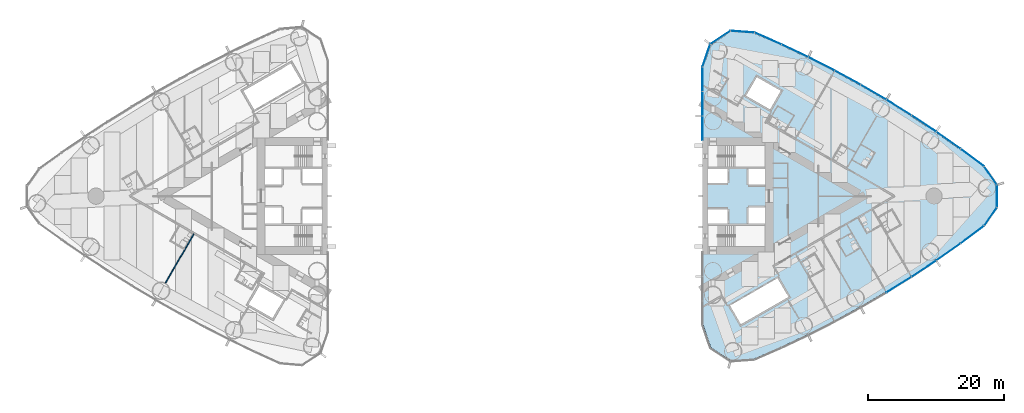
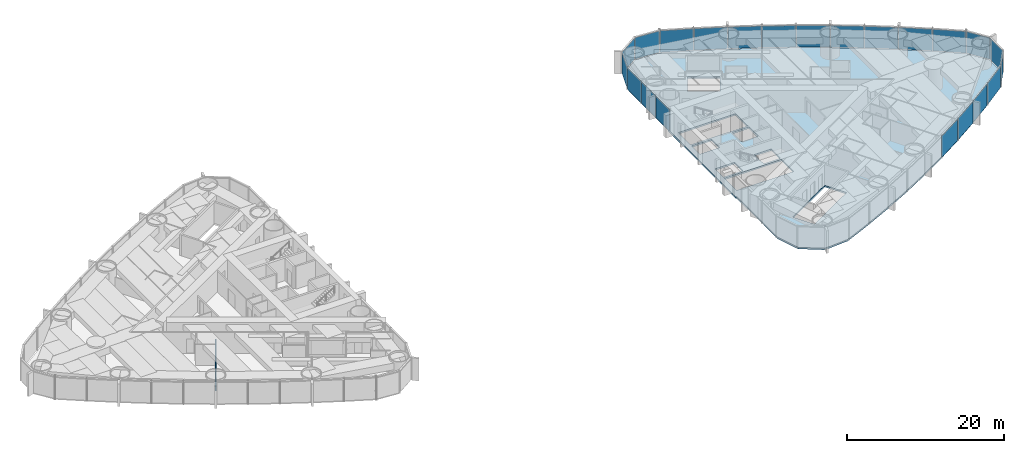
# One storey, part 10 of 18: 22 plates, 1 slab, 1 wall, 1 element without a shape of its own.
"""IFC4 building model written with IfcOpenShell, lengths in metres."""

from ifc_helpers import new_model, si_unit, direction, frame, frame_2d, origin, origin_2d, place, context, subcontext, project, spatial, polyline, rectangle, outline, extrude, material, layer, layer_set, type_object, element, aggregate, save


model = new_model("IFC4")

# Units and contexts
model_context = context("Model", 3, precision=1e-05, world=origin(), true_north=direction((0.0, 1.0)))
body_context = subcontext(model_context, "Body", "Model", "MODEL_VIEW")
ifc_project = project(units=[si_unit("LENGTHUNIT", "METRE"), si_unit("AREAUNIT", "SQUARE_METRE"), si_unit("VOLUMEUNIT", "CUBIC_METRE"), si_unit("PLANEANGLEUNIT", "RADIAN"), si_unit("MASSUNIT", "GRAM", prefix="KILO")], contexts=[model_context])

# Site, building, storey
site_placement = place(None, origin())
site = spatial("IfcSite", under=ifc_project, at=site_placement, CompositionType="ELEMENT")
building_placement = place(site_placement, origin())
building = spatial("IfcBuilding", under=site, at=building_placement, Name="Lancet Gate Hotel", CompositionType="ELEMENT")
storey_placement = place(building_placement, frame((0.0, 0.0, 97.60009765625)))
storey = spatial("IfcBuildingStorey", under=building, at=storey_placement, Name="L25", CompositionType="ELEMENT", Elevation=97.60009765625)

# Slab
ifc_material_1 = material(Name="Concrete C50/60", Category="concrete")
ifc_layer_1 = layer(ifc_material_1, 0.25)
ifc_layer_set_1 = layer_set([ifc_layer_1], Name="Floor slab 250")
slab_type = type_object("IfcSlabType", Name="Floor slab 250", PredefinedType="FLOOR", material=ifc_layer_set_1)
slab_placement = place(storey_placement, frame((0.0, 0.0, -0.25)))
element("IfcSlab", 1, at=slab_placement, inside=storey, type_object=slab_type, Name="T2 L25 floor slab", PredefinedType="FLOOR", context=body_context, shape_type="SweptSolid", body=[
    extrude(outline(polyline([(27.5, -8.60009765625), (27.6201171875, -8.60009765625), (27.6201171875, -18.923095703125), (28.7451171875, -22.22412109375), (31.63427734375, -24.1396484375), (35.112060546875, -23.890869140625), (39.0712890625, -22.150634765625), (42.996826171875, -20.29052734375), (46.867919921875, -18.31982421875), (50.681640625, -16.23974609375), (54.4345703125, -14.052490234375), (58.123779296875, -11.75927734375), (61.74658203125, -9.362548828125), (65.2998046875, -6.863525390625), (68.7666015625, -4.275390625), (70.627197265625, -1.6142578125), (70.627197265625, 1.6142578125), (68.7666015625, 4.275390625), (65.2998046875, 6.863525390625), (61.74658203125, 9.362548828125), (58.123779296875, 11.75927734375), (54.4345703125, 14.052490234375), (50.681640625, 16.23974609375), (46.867919921875, 18.31982421875), (42.996826171875, 20.29052734375), (39.0712890625, 22.150634765625), (35.112060546875, 23.890869140625), (31.63427734375, 24.1396484375), (28.7451171875, 22.22412109375), (27.6201171875, 18.923095703125), (27.6201171875, 8.60009765625), (27.5, 8.60009765625), (27.5, 8.199951171875), (27.5, -8.199951171875), (27.5, -8.60009765625)]), holes=[polyline([(36.699951171875, -7.39990234375), (36.699951171875, -4.300048828125), (28.300048828125, -4.300048828125), (28.300048828125, -7.39990234375), (36.699951171875, -7.39990234375)]), polyline([(28.300048828125, -4.0), (31.199951171875, -4.0), (31.199951171875, -1.89990234375), (28.300048828125, -1.89990234375), (28.300048828125, -4.0)]), polyline([(34.25, -4.0), (36.699951171875, -4.0), (36.699951171875, -1.64990234375), (34.25, -1.64990234375), (34.25, -4.0)]), polyline([(36.699951171875, 1.64990234375), (36.699951171875, 4.0), (34.25, 4.0), (34.25, 1.64990234375), (36.699951171875, 1.64990234375)]), polyline([(28.300048828125, 1.89990234375), (31.199951171875, 1.89990234375), (31.199951171875, 4.0), (28.300048828125, 4.0), (28.300048828125, 1.89990234375)]), polyline([(28.300048828125, 4.300048828125), (36.699951171875, 4.300048828125), (36.699951171875, 7.39990234375), (28.300048828125, 7.39990234375), (28.300048828125, 4.300048828125)]), polyline([(31.549072265625, -16.0810546875), (33.14892578125, -18.85205078125), (40.1640625, -14.802001953125), (38.56396484375, -12.031005859375), (31.549072265625, -16.0810546875)]), polyline([(33.887939453125, 14.73095703125), (37.43798828125, 12.680908203125), (39.0380859375, 15.451904296875), (35.488037109375, 17.501953125), (33.887939453125, 14.73095703125)])]), origin(), (0.0, 0.0, 1.0), 0.25),
])

# Curtain wall, plates
ifc_material_2 = material(Name="Aluminium curtain wall", Category="aluminium")
curtain_wall_type = type_object("IfcCurtainWallType", Name="Tower unitised curtain wall", PredefinedType="USERDEFINED", material=ifc_material_2)
curtain_wall_placement = place(storey_placement, origin())
curtain_wall = element("IfcCurtainWall", 2, at=curtain_wall_placement, inside=storey, type_object=curtain_wall_type, Name="T2 L25 curtain wall 1", ObjectType="UNITISED CURTAIN WALL", PredefinedType="USERDEFINED")
ifc_material_3 = material(Name="Glass double glazed unit 8-16-6", Category="glass")
ifc_layer_2 = layer(ifc_material_3, 0.030029296875)
ifc_layer_set_2 = layer_set([ifc_layer_2], Name="Vision panel double glazed")
plate_type = type_object("IfcPlateType", Name="Vision panel double glazed", PredefinedType="CURTAIN_PANEL", material=ifc_layer_set_2)
plate_1_placement = place(storey_placement, frame((56.342529296875, -13.0078125, -0.000244140625), z_axis=(0.0, 0.0, 1.0), x_axis=(0.849317759497, 0.527881940781, 0.0)))
plate_1 = element("IfcPlate", 3, at=plate_1_placement, type_object=plate_type, Name="T2 L25 curtain wall 1 panel 12", PredefinedType="CURTAIN_PANEL", context=body_context, shape_type="SweptSolid", body=[
    extrude(rectangle(XDim=4.2822265625, YDim=0.030029296875, at=origin_2d()), origin(), (0.0, 0.0, 1.0), 3.35009765625),
])
plate_2_placement = place(storey_placement, frame((60.00146484375, -10.660888671875, -0.000244140625), z_axis=(0.0, 0.0, 1.0), x_axis=(0.83398495346, 0.551787184885, 0.0)))
plate_2 = element("IfcPlate", 4, at=plate_2_placement, type_object=plate_type, Name="T2 L25 curtain wall 1 panel 13", PredefinedType="CURTAIN_PANEL", context=body_context, shape_type="SweptSolid", body=[
    extrude(rectangle(XDim=4.2822265625, YDim=0.030029296875, at=origin_2d()), origin(), (0.0, 0.0, 1.0), 3.35009765625),
])
plate_3_placement = place(storey_placement, frame((63.59228515625, -8.211181640625, -0.000244140625), z_axis=(0.0, 0.0, 1.0), x_axis=(0.817979492167, 0.57524738191, 0.0)))
plate_3 = element("IfcPlate", 5, at=plate_3_placement, type_object=plate_type, Name="T2 L25 curtain wall 1 panel 14", PredefinedType="CURTAIN_PANEL", context=body_context, shape_type="SweptSolid", body=[
    extrude(rectangle(XDim=4.2822265625, YDim=0.030029296875, at=origin_2d()), origin(), (0.0, 0.0, 1.0), 3.35009765625),
])
plate_4_placement = place(storey_placement, frame((67.112060546875, -5.660400390625, -0.000244140625), z_axis=(0.0, 0.0, 1.0), x_axis=(0.801314284905, 0.598243609917, 0.0)))
plate_4 = element("IfcPlate", 6, at=plate_4_placement, type_object=plate_type, Name="T2 L25 curtain wall 1 panel 15", PredefinedType="CURTAIN_PANEL", context=body_context, shape_type="SweptSolid", body=[
    extrude(rectangle(XDim=4.2822265625, YDim=0.030029296875, at=origin_2d()), origin(), (0.0, 0.0, 1.0), 3.35009765625),
])
plate_5_placement = place(storey_placement, frame((69.800537109375, -3.006103515625, -0.000244140625), z_axis=(0.0, 0.0, 1.0), x_axis=(0.573025075425, 0.819537834962, 0.0)))
plate_5 = element("IfcPlate", 7, at=plate_5_placement, type_object=plate_type, Name="T2 L25 curtain wall 1 panel 16", PredefinedType="CURTAIN_PANEL", context=body_context, shape_type="SweptSolid", body=[
    extrude(rectangle(XDim=3.2392578125, YDim=0.030029296875, at=origin_2d()), origin(), (0.0, 0.0, 1.0), 3.35009765625),
])
plate_6_placement = place(storey_placement, frame((70.747314453125, 0.0, -0.000244140625), z_axis=(0.0, 0.0, 1.0), x_axis=(0.0, 1.0, 0.0)))
plate_6 = element("IfcPlate", 8, at=plate_6_placement, type_object=plate_type, Name="T2 L25 curtain wall 1 panel 17", PredefinedType="CURTAIN_PANEL", context=body_context, shape_type="SweptSolid", body=[
    extrude(rectangle(XDim=3.2392578125, YDim=0.030029296875, at=origin_2d()), origin(), (0.0, 0.0, 1.0), 3.35009765625),
])
plate_7_placement = place(storey_placement, frame((69.800537109375, 3.006103515625, -0.000244140625), z_axis=(0.0, 0.0, 1.0), x_axis=(-0.573025075425, 0.819537834962, 0.0)))
plate_7 = element("IfcPlate", 9, at=plate_7_placement, type_object=plate_type, Name="T2 L25 curtain wall 1 panel 18", PredefinedType="CURTAIN_PANEL", context=body_context, shape_type="SweptSolid", body=[
    extrude(rectangle(XDim=3.2392578125, YDim=0.030029296875, at=origin_2d()), origin(), (0.0, 0.0, 1.0), 3.35009765625),
])
plate_8_placement = place(storey_placement, frame((67.112060546875, 5.660400390625, -0.000244140625), z_axis=(0.0, 0.0, 1.0), x_axis=(-0.801314284905, 0.598243609917, 0.0)))
plate_8 = element("IfcPlate", 10, at=plate_8_placement, type_object=plate_type, Name="T2 L25 curtain wall 1 panel 19", PredefinedType="CURTAIN_PANEL", context=body_context, shape_type="SweptSolid", body=[
    extrude(rectangle(XDim=4.2822265625, YDim=0.030029296875, at=origin_2d()), origin(), (0.0, 0.0, 1.0), 3.35009765625),
])
plate_9_placement = place(storey_placement, frame((63.59228515625, 8.211181640625, -0.000244140625), z_axis=(0.0, 0.0, 1.0), x_axis=(-0.817979492167, 0.57524738191, 0.0)))
plate_9 = element("IfcPlate", 11, at=plate_9_placement, type_object=plate_type, Name="T2 L25 curtain wall 1 panel 20", PredefinedType="CURTAIN_PANEL", context=body_context, shape_type="SweptSolid", body=[
    extrude(rectangle(XDim=4.2822265625, YDim=0.030029296875, at=origin_2d()), origin(), (0.0, 0.0, 1.0), 3.35009765625),
])
plate_10_placement = place(storey_placement, frame((60.00146484375, 10.660888671875, -0.000244140625), z_axis=(0.0, 0.0, 1.0), x_axis=(-0.83398495346, 0.551787184885, 0.0)))
plate_10 = element("IfcPlate", 12, at=plate_10_placement, type_object=plate_type, Name="T2 L25 curtain wall 1 panel 21", PredefinedType="CURTAIN_PANEL", context=body_context, shape_type="SweptSolid", body=[
    extrude(rectangle(XDim=4.2822265625, YDim=0.030029296875, at=origin_2d()), origin(), (0.0, 0.0, 1.0), 3.35009765625),
])
plate_11_placement = place(storey_placement, frame((56.342529296875, 13.0078125, -0.000244140625), z_axis=(0.0, 0.0, 1.0), x_axis=(-0.849317759497, 0.527881940781, 0.0)))
plate_11 = element("IfcPlate", 13, at=plate_11_placement, type_object=plate_type, Name="T2 L25 curtain wall 1 panel 22", PredefinedType="CURTAIN_PANEL", context=body_context, shape_type="SweptSolid", body=[
    extrude(rectangle(XDim=4.2822265625, YDim=0.030029296875, at=origin_2d()), origin(), (0.0, 0.0, 1.0), 3.35009765625),
])
plate_12_placement = place(storey_placement, frame((52.618408203125, 15.249755859375, -0.000244140625), z_axis=(0.0, 0.0, 1.0), x_axis=(-0.863965543499, 0.503550930538, 0.0)))
plate_12 = element("IfcPlate", 14, at=plate_12_placement, type_object=plate_type, Name="T2 L25 curtain wall 1 panel 23", PredefinedType="CURTAIN_PANEL", context=body_context, shape_type="SweptSolid", body=[
    extrude(rectangle(XDim=4.2822265625, YDim=0.030029296875, at=origin_2d()), origin(), (0.0, 0.0, 1.0), 3.35009765625),
])
plate_13_placement = place(storey_placement, frame((48.832275390625, 17.38525390625, -0.000244140625), z_axis=(0.0, 0.0, 1.0), x_axis=(-0.877916491224, 0.478813778454, 0.0)))
plate_13 = element("IfcPlate", 15, at=plate_13_placement, type_object=plate_type, Name="T2 L25 curtain wall 1 panel 24", PredefinedType="CURTAIN_PANEL", context=body_context, shape_type="SweptSolid", body=[
    extrude(rectangle(XDim=4.2822265625, YDim=0.030029296875, at=origin_2d()), origin(), (0.0, 0.0, 1.0), 3.35009765625),
])
plate_14_placement = place(storey_placement, frame((44.98681640625, 19.412109375, -0.000244140625), z_axis=(0.0, 0.0, 1.0), x_axis=(-0.891159350462, 0.453690436403, 0.0)))
plate_14 = element("IfcPlate", 16, at=plate_14_placement, type_object=plate_type, Name="T2 L25 curtain wall 1 panel 25", PredefinedType="CURTAIN_PANEL", context=body_context, shape_type="SweptSolid", body=[
    extrude(rectangle(XDim=4.2822265625, YDim=0.030029296875, at=origin_2d()), origin(), (0.0, 0.0, 1.0), 3.35009765625),
])
plate_15_placement = place(storey_placement, frame((41.08544921875, 21.3291015625, -0.000244140625), z_axis=(0.0, 0.0, 1.0), x_axis=(-0.903683440096, 0.428201167789, 0.0)))
plate_15 = element("IfcPlate", 17, at=plate_15_placement, type_object=plate_type, Name="T2 L25 curtain wall 1 panel 26", PredefinedType="CURTAIN_PANEL", context=body_context, shape_type="SweptSolid", body=[
    extrude(rectangle(XDim=4.2822265625, YDim=0.030029296875, at=origin_2d()), origin(), (0.0, 0.0, 1.0), 3.35009765625),
])
plate_16_placement = place(storey_placement, frame((37.13134765625, 23.13427734375, -0.000244140625), z_axis=(0.0, 0.0, 1.0), x_axis=(-0.915478658759, 0.40236653111, 0.0)))
plate_16 = element("IfcPlate", 18, at=plate_16_placement, type_object=plate_type, Name="T2 L25 curtain wall 1 panel 27", PredefinedType="CURTAIN_PANEL", context=body_context, shape_type="SweptSolid", body=[
    extrude(rectangle(XDim=4.2822265625, YDim=0.030029296875, at=origin_2d()), origin(), (0.0, 0.0, 1.0), 3.35009765625),
])
plate_17_placement = place(storey_placement, frame((33.37158203125, 24.1357421875, -0.000244140625), z_axis=(0.0, 0.0, 1.0), x_axis=(-0.997448492935, 0.07138980278, 0.0)))
plate_17 = element("IfcPlate", 19, at=plate_17_placement, type_object=plate_type, Name="T2 L25 curtain wall 1 panel 28", PredefinedType="CURTAIN_PANEL", context=body_context, shape_type="SweptSolid", body=[
    extrude(rectangle(XDim=3.4833984375, YDim=0.030029296875, at=origin_2d()), origin(), (0.0, 0.0, 1.0), 3.35009765625),
])
plate_18_placement = place(storey_placement, frame((30.123291015625, 23.281982421875, -0.000244140625), z_axis=(0.0, 0.0, 1.0), x_axis=(-0.833464516611, -0.552572981198, 0.0)))
plate_18 = element("IfcPlate", 20, at=plate_18_placement, type_object=plate_type, Name="T2 L25 curtain wall 1 panel 29", PredefinedType="CURTAIN_PANEL", context=body_context, shape_type="SweptSolid", body=[
    extrude(rectangle(XDim=3.4833984375, YDim=0.030029296875, at=origin_2d()), origin(), (0.0, 0.0, 1.0), 3.35009765625),
])
plate_19_placement = place(storey_placement, frame((28.072265625, 20.622314453125, -0.000244140625), z_axis=(0.0, 0.0, 1.0), x_axis=(-0.32257568891, -0.946543673015, 0.0)))
plate_19 = element("IfcPlate", 21, at=plate_19_placement, type_object=plate_type, Name="T2 L25 curtain wall 1 panel 30", PredefinedType="CURTAIN_PANEL", context=body_context, shape_type="SweptSolid", body=[
    extrude(rectangle(XDim=3.4833984375, YDim=0.030029296875, at=origin_2d()), origin(), (0.0, 0.0, 1.0), 3.35009765625),
])
plate_20_placement = place(storey_placement, frame((27.5, 17.15234375, -0.000244140625), z_axis=(0.0, 0.0, 1.0), x_axis=(0.0, -1.0, 0.0)))
plate_20 = element("IfcPlate", 22, at=plate_20_placement, type_object=plate_type, Name="T2 L25 curtain wall 1 panel 31", PredefinedType="CURTAIN_PANEL", context=body_context, shape_type="SweptSolid", body=[
    extrude(rectangle(XDim=3.515869140625, YDim=0.030029296875, at=origin_2d()), origin(), (0.0, 0.0, 1.0), 3.35009765625),
])
plate_21_placement = place(storey_placement, frame((27.5, 13.571533203125, -0.000244140625), z_axis=(0.0, 0.0, 1.0), x_axis=(0.0, -1.0, 0.0)))
plate_21 = element("IfcPlate", 23, at=plate_21_placement, type_object=plate_type, Name="T2 L25 curtain wall 1 panel 32", PredefinedType="CURTAIN_PANEL", context=body_context, shape_type="SweptSolid", body=[
    extrude(rectangle(XDim=3.515869140625, YDim=0.030029296875, at=origin_2d()), origin(), (0.0, 0.0, 1.0), 3.35009765625),
])
plate_22_placement = place(storey_placement, frame((27.5, 9.990478515625, -0.000244140625), z_axis=(0.0, 0.0, 1.0), x_axis=(0.0, -1.0, 0.0)))
plate_22 = element("IfcPlate", 24, at=plate_22_placement, type_object=plate_type, Name="T2 L25 curtain wall 1 panel 33", PredefinedType="CURTAIN_PANEL", context=body_context, shape_type="SweptSolid", body=[
    extrude(rectangle(XDim=3.515869140625, YDim=0.030029296875, at=origin_2d()), origin(), (0.0, 0.0, 1.0), 3.35009765625),
])
aggregate(curtain_wall, [plate_1, plate_2, plate_3, plate_4, plate_5, plate_6, plate_7, plate_8, plate_9, plate_10, plate_11, plate_12, plate_13, plate_14, plate_15, plate_16, plate_17, plate_18, plate_19, plate_20, plate_21, plate_22])

# Wall
ifc_material_4 = material(Name="Gypsum board partition")
ifc_layer_3 = layer(ifc_material_4, 0.14990234375)
ifc_layer_set_3 = layer_set([ifc_layer_3], Name="Party wall 150")
wall_type = type_object("IfcWallType", Name="Party wall 150", PredefinedType="PARTITIONING", material=ifc_layer_set_3)
wall_placement = place(storey_placement, frame((-47.151123046875, -5.552490234375, 0.0), z_axis=(0.0, 0.0, 1.0), x_axis=(-0.500003012045, -0.866023664773, 0.0)))
element("IfcWall", 25, at=wall_placement, inside=storey, type_object=wall_type, Name="T1 party wall 150 L25", PredefinedType="PARTITIONING", context=body_context, shape_type="SweptSolid", body=[
    extrude(rectangle(XDim=8.31103515625, YDim=0.14990234375, at=frame_2d((4.155517578125, 0.0))), origin(), (0.0, 0.0, 1.0), 2.199951171875),
])

save(model, "model.ifc")
